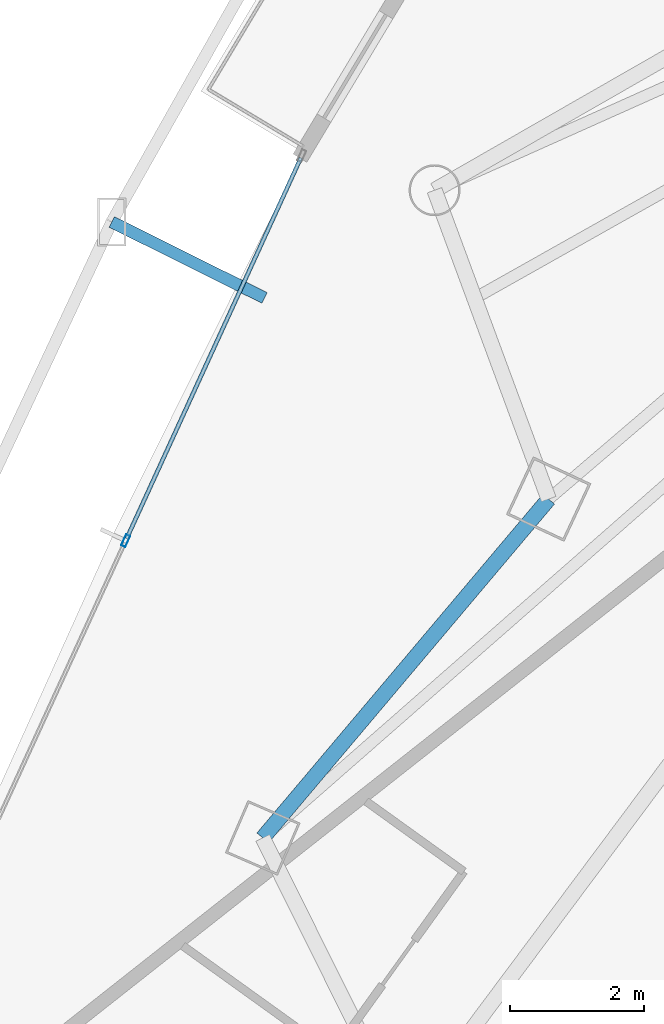
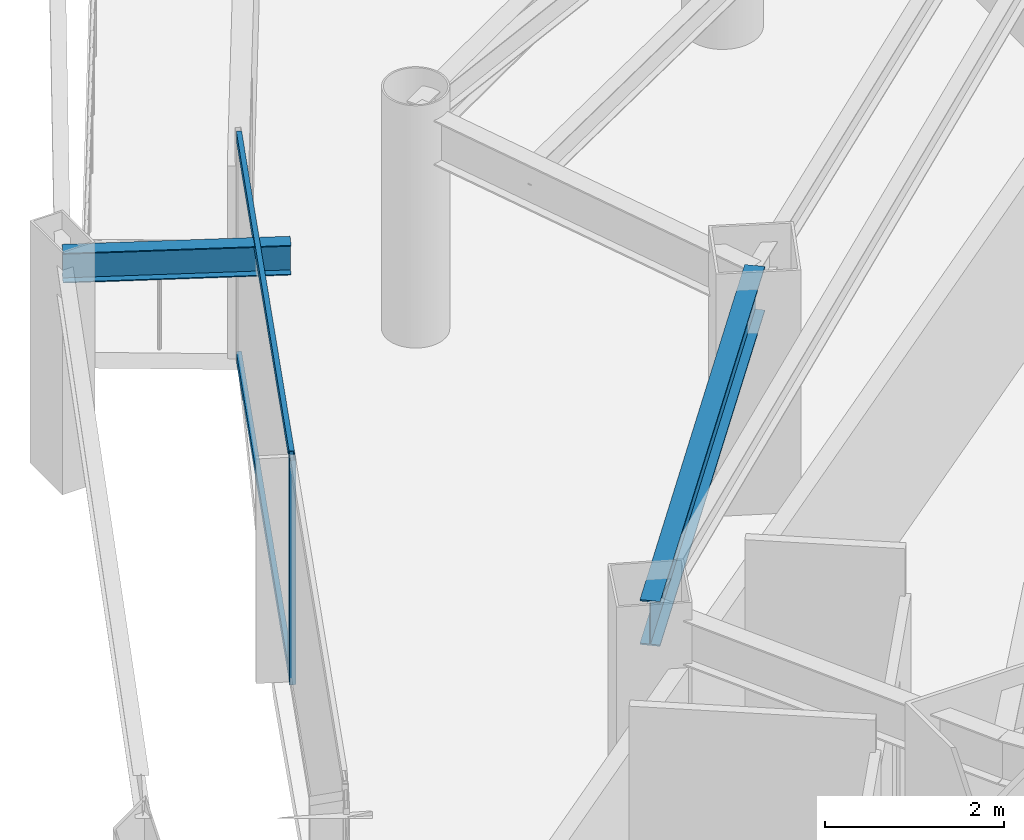
# One storey, part 9 of 37: 3 members, 2 beams, 1 element without a shape of its own.
"""IFC4 building model written with IfcOpenShell, lengths in metres."""

from ifc_helpers import new_model, si_unit, direction, frame, origin, origin_2d, place, context, subcontext, project, spatial, hollow_rectangle, i_section, extrude, material, layer, layer_set, material_profile, profile_set, type_object, element, aggregate, save


model = new_model("IFC4")

# Units and contexts
model_context = context("Model", 3, precision=1e-05, world=origin(), true_north=direction((0.0, 1.0)))
body_context = subcontext(model_context, "Body", "Model", "MODEL_VIEW")
ifc_project = project(units=[si_unit("LENGTHUNIT", "METRE"), si_unit("AREAUNIT", "SQUARE_METRE"), si_unit("VOLUMEUNIT", "CUBIC_METRE"), si_unit("PLANEANGLEUNIT", "RADIAN"), si_unit("MASSUNIT", "GRAM", prefix="KILO")], contexts=[model_context])

# Site, building, storey
site_placement = place(None, origin())
site = spatial("IfcSite", under=ifc_project, at=site_placement, CompositionType="ELEMENT")
building_placement = place(site_placement, origin())
building = spatial("IfcBuilding", under=site, at=building_placement, Name="Orvanel Arch Residences", CompositionType="ELEMENT")
storey_placement = place(building_placement, frame((0.0, 0.0, 53.300048828125)))
storey = spatial("IfcBuildingStorey", under=building, at=storey_placement, Name="L14", CompositionType="ELEMENT", Elevation=53.300048828125)

# Curtain wall, member
ifc_material_1 = material(Name="Bronze-anodised aluminium AA6063-T6", Category="aluminium")
ifc_layer = layer(ifc_material_1, 0.179931640625)
ifc_layer_set = layer_set([ifc_layer], Name="Bronze-anodised aluminium AA6063-T6")
curtain_wall_type = type_object("IfcCurtainWallType", Name="CW2-LOW-SYS", PredefinedType="NOTDEFINED", material=ifc_layer_set)
curtain_wall_placement = place(storey_placement, origin())
curtain_wall = element("IfcCurtainWall", 1, at=curtain_wall_placement, inside=storey, type_object=curtain_wall_type, Name="L14 CW2-LOW-SYS Unitised Curtain Wall", PredefinedType="NOTDEFINED")
ifc_material_profile_1 = material_profile(ifc_material_1, hollow_rectangle(XDim=0.070068359375, YDim=0.179931640625, WallThickness=0.00439453125, at=origin_2d()), Name="ALU180x70x4.5")
ifc_profile_set_1 = profile_set([ifc_material_profile_1], Name="Bronze-anodised aluminium AA6063-T6")
member_type_1 = type_object("IfcMemberType", Name="MUL-180x70", PredefinedType="MULLION", material=ifc_profile_set_1)
member_1_placement = place(storey_placement, frame((10.047119140625, 19.020263671875, 0.0), z_axis=(0.0, 0.0, 1.0), x_axis=(0.909298821002, -0.416143790203, 0.0)))
member_1 = element("IfcMember", 2, at=member_1_placement, type_object=member_type_1, Name="CW-S2 mullion 2", PredefinedType="MULLION", context=body_context, shape_type="SweptSolid", body=[
    extrude(hollow_rectangle(XDim=0.070068359375, YDim=0.179931640625, WallThickness=0.00439453125, at=origin_2d()), origin(), (0.0, 0.0, 1.0), 3.06005859375),
])

# Beams
ifc_material_2 = material(Name="Structural steel AS/NZS 3679.1 Grade 300 (300 MPa)", Category="steel")
ifc_material_profile_2 = material_profile(ifc_material_2, i_section(OverallWidth=0.177978515625, OverallDepth=0.406005859375, WebThickness=0.0078125, FlangeThickness=0.0126953125, at=origin_2d()), Name="410UB59.7")
ifc_profile_set_2 = profile_set([ifc_material_profile_2], Name="Structural steel AS/NZS 3679.1 Grade 300 (300 MPa)")
beam_type_1 = type_object("IfcBeamType", Name="OB-410UB-EXT", PredefinedType="SPANDREL", material=ifc_profile_set_2)
beam_1_placement = place(storey_placement, frame((12.1220703125, 22.64697265625, 2.85693359375), z_axis=(-0.895287212357, 0.445489402107, 0.0), x_axis=(-0.445489402107, -0.895287212357, 0.0)))
element("IfcBeam", 3, at=beam_1_placement, inside=storey, type_object=beam_type_1, Name="L14 Outer Frame Radial Tie Beam 03", PredefinedType="SPANDREL", context=body_context, shape_type="SweptSolid", body=[
    extrude(i_section(OverallWidth=0.177978515625, OverallDepth=0.406005859375, WebThickness=0.0078125, FlangeThickness=0.0126953125, at=origin_2d()), origin(), (0.0, 0.0, 1.0), 2.550048828125),
])
ifc_material_profile_3 = material_profile(ifc_material_2, i_section(OverallWidth=0.22900390625, OverallDepth=0.612060546875, WebThickness=0.011962890625, FlangeThickness=0.01953125, at=origin_2d()), Name="610UB125")
ifc_profile_set_3 = profile_set([ifc_material_profile_3], Name="Structural steel AS/NZS 3679.1 Grade 300 (300 MPa)")
beam_type_2 = type_object("IfcBeamType", Name="SP-610UB", PredefinedType="SPANDREL", material=ifc_profile_set_3)
beam_2_placement = place(storey_placement, frame((16.366943359375, 19.64208984375, 2.75390625), z_axis=(-0.644950329775, -0.764224490659, 0.0), x_axis=(0.764224490659, -0.644950329775, 0.0)))
element("IfcBeam", 4, at=beam_2_placement, inside=storey, type_object=beam_type_2, Name="L14 Perimeter Spandrel Beam 01", PredefinedType="SPANDREL", context=body_context, shape_type="SweptSolid", body=[
    extrude(i_section(OverallWidth=0.22900390625, OverallDepth=0.612060546875, WebThickness=0.011962890625, FlangeThickness=0.01953125, at=origin_2d()), origin(), (0.0, 0.0, 1.0), 6.623779296875),
])

# Member
ifc_material_profile_4 = material_profile(ifc_material_1, hollow_rectangle(XDim=0.06005859375, YDim=0.135009765625, WallThickness=0.00390625, at=origin_2d()), Name="ALU135x60x4")
ifc_profile_set_4 = profile_set([ifc_material_profile_4], Name="Bronze-anodised aluminium AA6063-T6")
member_type_2 = type_object("IfcMemberType", Name="TRN-135x60", PredefinedType="USERDEFINED", material=ifc_profile_set_4)
member_2_placement = place(storey_placement, frame((12.663818359375, 24.73828125, 0.030029296875), z_axis=(-0.416151858143, -0.909295128638, 0.0), x_axis=(0.909295128638, -0.416151858143, 0.0)))
member_2 = element("IfcMember", 5, at=member_2_placement, type_object=member_type_2, Name="CW-S2 transom 1.1", ObjectType="TRANSOM", PredefinedType="USERDEFINED", context=body_context, shape_type="SweptSolid", body=[
    extrude(hollow_rectangle(XDim=0.06005859375, YDim=0.135009765625, WallThickness=0.00390625, at=origin_2d()), origin(), (0.0, 0.0, 1.0), 6.253173828125),
])

member_3_placement = place(storey_placement, frame((12.663818359375, 24.73828125, 3.030029296875), z_axis=(-0.416151858143, -0.909295128638, 0.0), x_axis=(0.909295128638, -0.416151858143, 0.0)))
member_3 = element("IfcMember", 6, at=member_3_placement, type_object=member_type_2, Name="CW-S2 transom 1.2", ObjectType="TRANSOM", PredefinedType="USERDEFINED", context=body_context, shape_type="SweptSolid", body=[
    extrude(hollow_rectangle(XDim=0.06005859375, YDim=0.135009765625, WallThickness=0.00390625, at=origin_2d()), origin(), (0.0, 0.0, 1.0), 6.253173828125),
])

aggregate(curtain_wall, [member_1, member_2, member_3])

save(model, "model.ifc")
